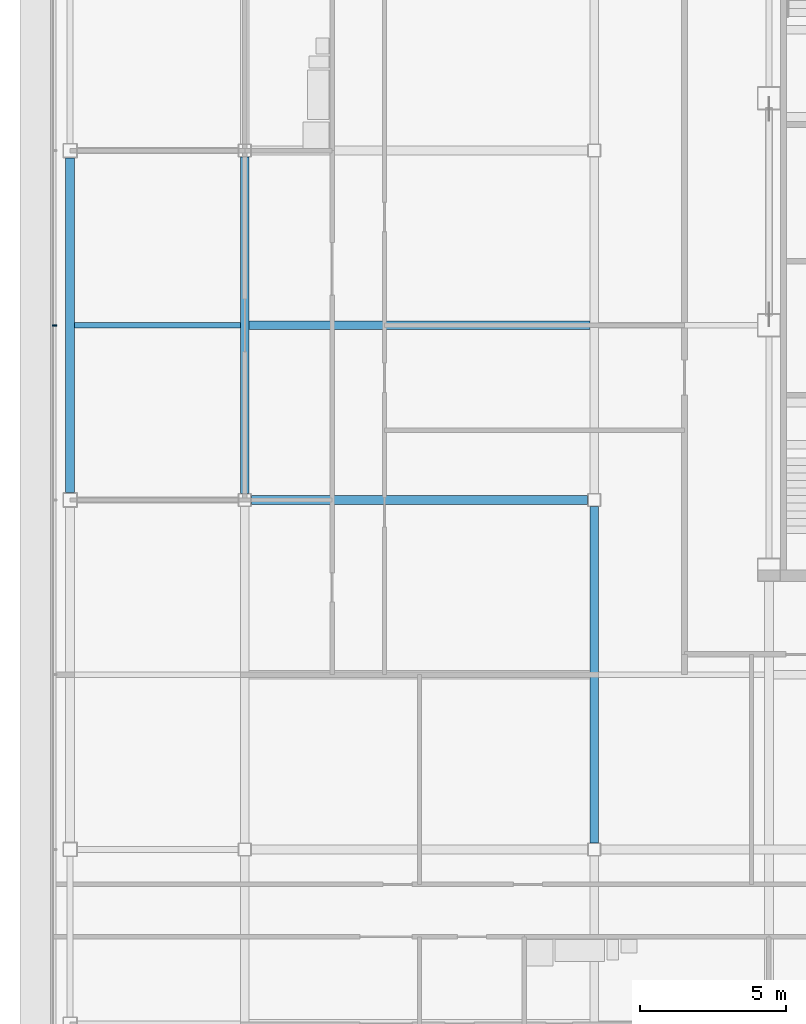
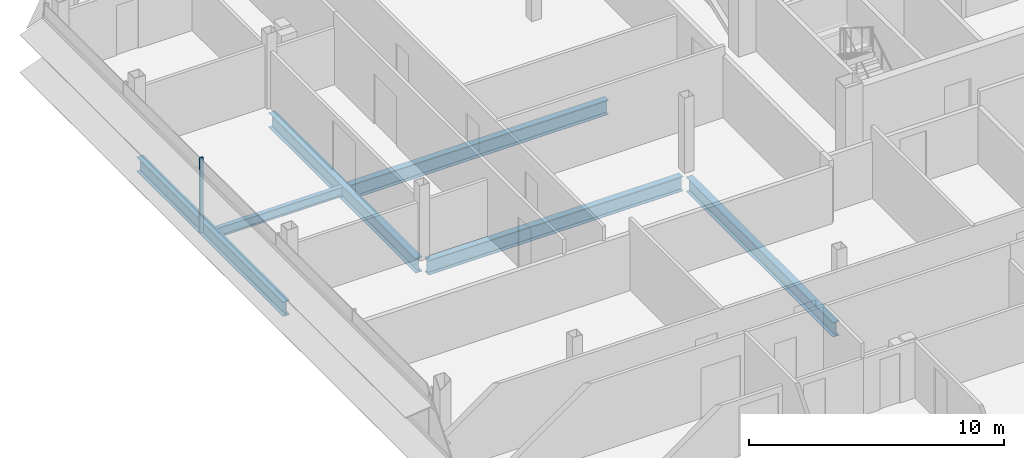
# One storey, part 8 of 27: 6 beams, 1 member, 1 element without a shape of its own.
"""IFC4 building model written with IfcOpenShell, lengths in metres."""

from ifc_helpers import new_model, si_unit, direction, frame, origin, origin_2d, place, context, subcontext, project, spatial, rectangle, i_section, extrude, material, material_profile, profile_set, type_object, element, aggregate, save


model = new_model("IFC4")

# Units and contexts
model_context = context("Model", 3, precision=1e-05, world=origin(), true_north=direction((0.0, 1.0)))
body_context = subcontext(model_context, "Body", "Model", "MODEL_VIEW")
ifc_project = project(units=[si_unit("LENGTHUNIT", "METRE"), si_unit("AREAUNIT", "SQUARE_METRE"), si_unit("VOLUMEUNIT", "CUBIC_METRE"), si_unit("PLANEANGLEUNIT", "RADIAN"), si_unit("MASSUNIT", "GRAM", prefix="KILO")], contexts=[model_context])

# Site, building, storey
site_placement = place(None, origin())
site = spatial("IfcSite", under=ifc_project, at=site_placement, CompositionType="ELEMENT")
building_placement = place(site_placement, origin())
building = spatial("IfcBuilding", under=site, at=building_placement, Name="Sorahane Residences", CompositionType="ELEMENT")
storey_placement = place(building_placement, frame((0.0, 0.0, 312.39990234375)))
storey = spatial("IfcBuildingStorey", under=building, at=storey_placement, Name="L74", CompositionType="ELEMENT", Elevation=312.39990234375)

# Curtain wall, member
ifc_material_1 = material(Name="Dark low-e glass and black anodised aluminium", Category="aluminium")
curtain_wall_type = type_object("IfcCurtainWallType", Name="Curtain wall CW-1 Typical unitised wall", PredefinedType="NOTDEFINED", material=ifc_material_1)
curtain_wall_placement = place(storey_placement, origin())
curtain_wall = element("IfcCurtainWall", 1, at=curtain_wall_placement, inside=storey, type_object=curtain_wall_type, Name="CW-1 curtain wall L74 W1", PredefinedType="NOTDEFINED")
ifc_material_2 = material(Name="Black anodised aluminium", Category="aluminium")
ifc_material_profile_1 = material_profile(ifc_material_2, rectangle(XDim=0.159912109375, YDim=0.050048828125, at=origin_2d()), Name="Curtain wall mullion CW-1 black anodised aluminium 50x160")
ifc_profile_set_1 = profile_set([ifc_material_profile_1], Name="Black anodised aluminium")
member_type = type_object("IfcMemberType", Name="Curtain wall mullion CW-1 black anodised aluminium 50x160", PredefinedType="MULLION", material=ifc_profile_set_1)
member_placement = place(storey_placement, frame((-18.5400390625, 30.0, -0.179931640625), z_axis=(0.0, 0.0, 1.0), x_axis=(-1.0, 0.0, 0.0)))
member = element("IfcMember", 2, at=member_placement, type_object=member_type, Name="CW-1 mullion L74 W1.3", PredefinedType="MULLION", context=body_context, shape_type="SweptSolid", body=[
    extrude(rectangle(XDim=0.159912109375, YDim=0.050048828125, at=origin_2d()), origin(), (0.0, 0.0, 1.0), 3.60009765625),
])
aggregate(curtain_wall, [member])

# Beams
ifc_material_3 = material(Name="Steel Q355B", Category="steel")
ifc_material_profile_2 = material_profile(ifc_material_3, i_section(OverallWidth=0.199951171875, OverallDepth=0.449951171875, WebThickness=0.009033203125, FlangeThickness=0.013916015625, FilletRadius=0.02001953125, at=origin_2d()), Name="HN 450x200x9x14")
ifc_profile_set_2 = profile_set([ifc_material_profile_2], Name="Steel Q355B")
beam_type_1 = type_object("IfcBeamType", Name="Steel floor beam HN 450x200x9x14 Q355B", PredefinedType="BEAM", material=ifc_profile_set_2)
beam_1_placement = place(storey_placement, frame((-17.85009765625, 30.0, -0.40478515625), z_axis=(1.0, 0.0, 0.0), x_axis=(0.0, 1.0, 0.0)))
element("IfcBeam", 3, at=beam_1_placement, inside=storey, type_object=beam_type_1, Name="Beam L74 083", PredefinedType="BEAM", context=body_context, shape_type="SweptSolid", body=[
    extrude(i_section(OverallWidth=0.199951171875, OverallDepth=0.449951171875, WebThickness=0.009033203125, FlangeThickness=0.013916015625, FilletRadius=0.02001953125, at=origin_2d()), origin(), (0.0, 0.0, 1.0), 5.7001953125),
])
ifc_material_4 = material(Name="Steel Q355B", Category="steel")
ifc_material_profile_3 = material_profile(ifc_material_4, i_section(OverallWidth=0.300048828125, OverallDepth=0.699951171875, WebThickness=0.012939453125, FlangeThickness=0.02392578125, FilletRadius=0.028076171875, at=origin_2d()), Name="HN 700x300x13x24")
ifc_profile_set_3 = profile_set([ifc_material_profile_3], Name="Steel Q355B")
beam_type_2 = type_object("IfcBeamType", Name="Steel floor beam HN 700x300x13x24 Q355B", PredefinedType="BEAM", material=ifc_profile_set_3)
beam_2_placement = place(storey_placement, frame((-11.77490234375, 24.0, -0.52978515625), z_axis=(1.0, 0.0, 0.0), x_axis=(0.0, 1.0, 0.0)))
element("IfcBeam", 4, at=beam_2_placement, inside=storey, type_object=beam_type_2, Name="Beam L74 012", PredefinedType="BEAM", context=body_context, shape_type="SweptSolid", body=[
    extrude(i_section(OverallWidth=0.300048828125, OverallDepth=0.699951171875, WebThickness=0.012939453125, FlangeThickness=0.02392578125, FilletRadius=0.028076171875, at=origin_2d()), origin(), (0.0, 0.0, 1.0), 11.5498046875),
])
beam_3_placement = place(storey_placement, frame((-18.0, 24.25, -0.52978515625), z_axis=(0.0, 1.0, 0.0), x_axis=(-1.0, 0.0, 0.0)))
element("IfcBeam", 5, at=beam_3_placement, inside=storey, type_object=beam_type_2, Name="Beam L74 022", PredefinedType="BEAM", context=body_context, shape_type="SweptSolid", body=[
    extrude(i_section(OverallWidth=0.300048828125, OverallDepth=0.699951171875, WebThickness=0.012939453125, FlangeThickness=0.02392578125, FilletRadius=0.028076171875, at=origin_2d()), origin(), (0.0, 0.0, 1.0), 11.5),
])
for number, where, z_axis, x_axis, name in (
    (6, (-12.0, 24.22509765625, -0.52978515625), (0.0, 1.0, 0.0), (-1.0, 0.0, 0.0), "Beam L74 026"),
    (7, (0.0, 12.22509765625, -0.52978515625), (0.0, 1.0, 0.0), (-1.0, 0.0, 0.0), "Beam L74 029"),
):
    element("IfcBeam", number, at=place(storey_placement, frame(where, z_axis=z_axis, x_axis=x_axis)), inside=storey, type_object=beam_type_2, Name=name, PredefinedType="BEAM", context=body_context, shape_type="SweptSolid", body=[
        extrude(i_section(OverallWidth=0.300048828125, OverallDepth=0.699951171875, WebThickness=0.012939453125, FlangeThickness=0.02392578125, FilletRadius=0.028076171875, at=origin_2d()), origin(), (0.0, 0.0, 1.0), 11.5498046875),
    ])
beam_4_placement = place(storey_placement, frame((-11.85009765625, 30.0, -0.52978515625), z_axis=(1.0, 0.0, 0.0), x_axis=(0.0, 1.0, 0.0)))
element("IfcBeam", 8, at=beam_4_placement, inside=storey, type_object=beam_type_2, Name="Beam L74 084", PredefinedType="BEAM", context=body_context, shape_type="SweptSolid", body=[
    extrude(i_section(OverallWidth=0.300048828125, OverallDepth=0.699951171875, WebThickness=0.012939453125, FlangeThickness=0.02392578125, FilletRadius=0.028076171875, at=origin_2d()), origin(), (0.0, 0.0, 1.0), 11.7001953125),
])

save(model, "model.ifc")
